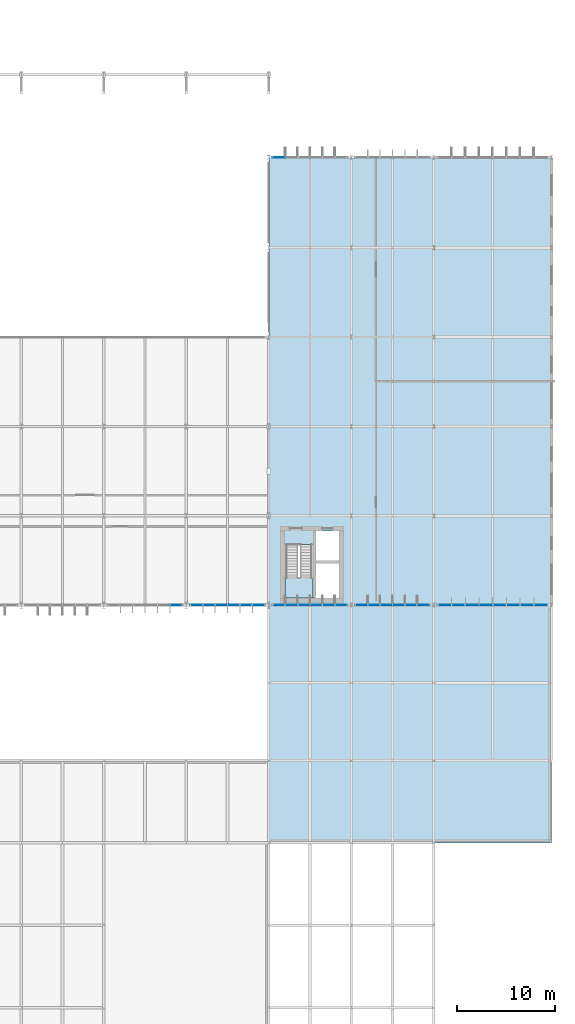
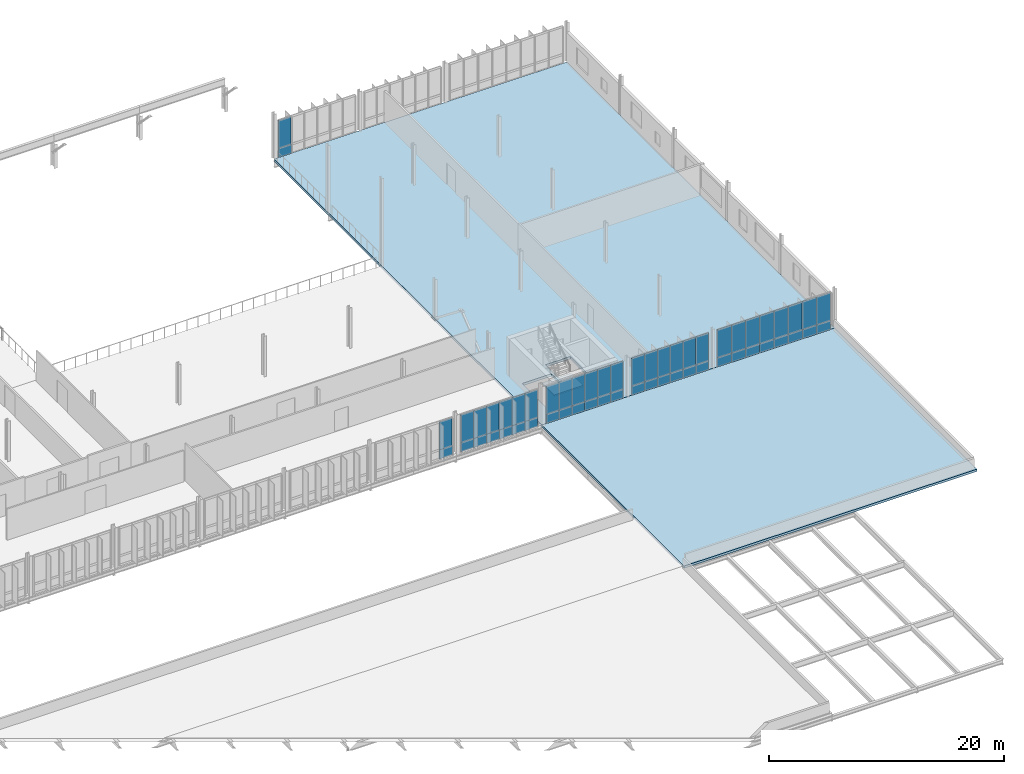
# One storey, part 80 of 107: 56 plates, 3 slabs, 8 elements without a shape of their own.
"""IFC4 building model written with IfcOpenShell, lengths in metres."""

from ifc_helpers import new_model, si_unit, derived_unit, direction, frame, origin, origin_2d, place, context, subcontext, project, spatial, polyline, rectangle, outline, extrude, material, layer, layer_set, type_object, element, aggregate, save


model = new_model("IFC4")

# Units and contexts
model_context = context("Model", 3, precision=1e-05, world=origin(), true_north=direction((0.0, 1.0)))
body_context = subcontext(model_context, "Body", "Model", "MODEL_VIEW")
ifc_project = project(units=[si_unit("LENGTHUNIT", "METRE"), si_unit("AREAUNIT", "SQUARE_METRE"), si_unit("VOLUMEUNIT", "CUBIC_METRE"), si_unit("PLANEANGLEUNIT", "RADIAN"), si_unit("MASSUNIT", "GRAM", prefix="KILO"), derived_unit("THERMALTRANSMITTANCEUNIT", [(si_unit("MASSUNIT", "GRAM", prefix="KILO"), 1), (si_unit("TIMEUNIT", "SECOND"), -3), (si_unit("THERMODYNAMICTEMPERATUREUNIT", "KELVIN"), -1)])], contexts=[model_context])

# Site, building, storey
site_placement = place(None, origin())
site = spatial("IfcSite", under=ifc_project, at=site_placement, CompositionType="ELEMENT")
building_placement = place(site_placement, origin())
building = spatial("IfcBuilding", under=site, at=building_placement, Name="Makaiwela Harbour Ferry Terminal", CompositionType="ELEMENT")
storey_placement = place(building_placement, frame((0.0, 0.0, 9.60009765625)))
storey = spatial("IfcBuildingStorey", under=building, at=storey_placement, Name="L02", CompositionType="ELEMENT", Elevation=9.60009765625)

# Curtain wall, plate
ifc_material_1 = material(Name="Marine anodised aluminium 6063-T6", Category="aluminium")
ifc_layer_1 = layer(ifc_material_1, 0.199951171875)
ifc_layer_set_1 = layer_set([ifc_layer_1], Name="Marine anodised aluminium 6063-T6")
curtain_wall_type_1 = type_object("IfcCurtainWallType", Name="ENV-CW-09", PredefinedType="USERDEFINED", material=ifc_layer_set_1)
curtain_wall_1_placement = place(storey_placement, origin())
curtain_wall_1 = element("IfcCurtainWall", 1, at=curtain_wall_1_placement, inside=storey, type_object=curtain_wall_type_1, Name="Unitised Curtain Wall CWA-093", ObjectType="UNITIZED CURTAIN WALL", PredefinedType="USERDEFINED")
ifc_material_2 = material(Name="Laminated hurricane-impact low-E insulated glazing", Category="glass")
ifc_layer_2 = layer(ifc_material_2, 0.031982421875)
ifc_layer_set_2 = layer_set([ifc_layer_2], Name="Laminated hurricane-impact low-E insulated glazing")
plate_type_1 = type_object("IfcPlateType", Name="CW-PNL-G13", PredefinedType="CURTAIN_PANEL", material=ifc_layer_set_2)
plate_1_placement = place(storey_placement, frame((129.14990234375, 49.39990234375, 0.949951171875), z_axis=(0.0, 0.0, 1.0), x_axis=(-1.0, 0.0, 0.0)))
plate_1 = element("IfcPlate", 2, at=plate_1_placement, type_object=plate_type_1, Name="Glazed Vision Panel CWA-093-1G", PredefinedType="CURTAIN_PANEL", context=body_context, shape_type="SweptSolid", body=[
    extrude(rectangle(XDim=1.260009765625, YDim=0.031982421875, at=origin_2d()), origin(), (0.0, 0.0, 1.0), 2.89990234375),
])

# Curtain wall, plates
curtain_wall_2_placement = place(storey_placement, origin())
curtain_wall_2 = element("IfcCurtainWall", 3, at=curtain_wall_2_placement, inside=storey, type_object=curtain_wall_type_1, Name="Unitised Curtain Wall CWA-096", ObjectType="UNITIZED CURTAIN WALL", PredefinedType="USERDEFINED")
plate_2_placement = place(storey_placement, frame((137.550048828125, 49.39990234375, 0.949951171875), z_axis=(0.0, 0.0, 1.0), x_axis=(-1.0, 0.0, 0.0)))
plate_2 = element("IfcPlate", 4, at=plate_2_placement, type_object=plate_type_1, Name="Glazed Vision Panel CWA-096-1G", PredefinedType="CURTAIN_PANEL", context=body_context, shape_type="SweptSolid", body=[
    extrude(rectangle(XDim=1.260009765625, YDim=0.031982421875, at=origin_2d()), origin(), (0.0, 0.0, 1.0), 2.89990234375),
])
plate_3_placement = place(storey_placement, frame((136.2900390625, 49.39990234375, 0.949951171875), z_axis=(0.0, 0.0, 1.0), x_axis=(-1.0, 0.0, 0.0)))
plate_3 = element("IfcPlate", 5, at=plate_3_placement, type_object=plate_type_1, Name="Glazed Vision Panel CWA-096-2G", PredefinedType="CURTAIN_PANEL", context=body_context, shape_type="SweptSolid", body=[
    extrude(rectangle(XDim=1.260009765625, YDim=0.031982421875, at=origin_2d()), origin(), (0.0, 0.0, 1.0), 2.89990234375),
])
plate_4_placement = place(storey_placement, frame((135.030029296875, 49.39990234375, 0.949951171875), z_axis=(0.0, 0.0, 1.0), x_axis=(-1.0, 0.0, 0.0)))
plate_4 = element("IfcPlate", 6, at=plate_4_placement, type_object=plate_type_1, Name="Glazed Vision Panel CWA-096-3G", PredefinedType="CURTAIN_PANEL", context=body_context, shape_type="SweptSolid", body=[
    extrude(rectangle(XDim=1.260009765625, YDim=0.031982421875, at=origin_2d()), origin(), (0.0, 0.0, 1.0), 2.89990234375),
])
plate_5_placement = place(storey_placement, frame((133.77001953125, 49.39990234375, 0.949951171875), z_axis=(0.0, 0.0, 1.0), x_axis=(-1.0, 0.0, 0.0)))
plate_5 = element("IfcPlate", 7, at=plate_5_placement, type_object=plate_type_1, Name="Glazed Vision Panel CWA-096-4G", PredefinedType="CURTAIN_PANEL", context=body_context, shape_type="SweptSolid", body=[
    extrude(rectangle(XDim=1.260009765625, YDim=0.031982421875, at=origin_2d()), origin(), (0.0, 0.0, 1.0), 2.89990234375),
])
plate_6_placement = place(storey_placement, frame((132.510009765625, 49.39990234375, 0.949951171875), z_axis=(0.0, 0.0, 1.0), x_axis=(-1.0, 0.0, 0.0)))
plate_6 = element("IfcPlate", 8, at=plate_6_placement, type_object=plate_type_1, Name="Glazed Vision Panel CWA-096-5G", PredefinedType="CURTAIN_PANEL", context=body_context, shape_type="SweptSolid", body=[
    extrude(rectangle(XDim=1.260009765625, YDim=0.031982421875, at=origin_2d()), origin(), (0.0, 0.0, 1.0), 2.89990234375),
])
plate_7_placement = place(storey_placement, frame((131.25, 49.39990234375, 0.949951171875), z_axis=(0.0, 0.0, 1.0), x_axis=(-1.0, 0.0, 0.0)))
plate_7 = element("IfcPlate", 9, at=plate_7_placement, type_object=plate_type_1, Name="Glazed Vision Panel CWA-096-6G", PredefinedType="CURTAIN_PANEL", context=body_context, shape_type="SweptSolid", body=[
    extrude(rectangle(XDim=1.260009765625, YDim=0.031982421875, at=origin_2d()), origin(), (0.0, 0.0, 1.0), 2.89990234375),
])

# Curtain wall, plate
curtain_wall_3_placement = place(storey_placement, origin())
curtain_wall_3 = element("IfcCurtainWall", 10, at=curtain_wall_3_placement, inside=storey, type_object=curtain_wall_type_1, Name="Unitised Curtain Wall CWA-122", ObjectType="UNITIZED CURTAIN WALL", PredefinedType="USERDEFINED")
plate_8_placement = place(storey_placement, frame((139.64990234375, 95.0, 0.949951171875), z_axis=(0.0, 0.0, 1.0), x_axis=(1.0, 0.0, 0.0)))
plate_8 = element("IfcPlate", 11, at=plate_8_placement, type_object=plate_type_1, Name="Glazed Vision Panel CWA-122-1G", PredefinedType="CURTAIN_PANEL", context=body_context, shape_type="SweptSolid", body=[
    extrude(rectangle(XDim=1.260009765625, YDim=0.031982421875, at=origin_2d()), origin(), (0.0, 0.0, 1.0), 2.89990234375),
])

# Curtain wall, plates
curtain_wall_4_placement = place(storey_placement, origin())
curtain_wall_4 = element("IfcCurtainWall", 12, at=curtain_wall_4_placement, inside=storey, type_object=curtain_wall_type_1, Name="Unitised Curtain Wall CWA-152", ObjectType="UNITIZED CURTAIN WALL", PredefinedType="USERDEFINED")
plate_9_placement = place(storey_placement, frame((145.949951171875, 49.39990234375, 0.949951171875), z_axis=(0.0, 0.0, 1.0), x_axis=(-1.0, 0.0, 0.0)))
plate_9 = element("IfcPlate", 13, at=plate_9_placement, type_object=plate_type_1, Name="Glazed Vision Panel CWA-152-1G", PredefinedType="CURTAIN_PANEL", context=body_context, shape_type="SweptSolid", body=[
    extrude(rectangle(XDim=1.260009765625, YDim=0.031982421875, at=origin_2d()), origin(), (0.0, 0.0, 1.0), 2.89990234375),
])
plate_10_placement = place(storey_placement, frame((144.68994140625, 49.39990234375, 0.949951171875), z_axis=(0.0, 0.0, 1.0), x_axis=(-1.0, 0.0, 0.0)))
plate_10 = element("IfcPlate", 14, at=plate_10_placement, type_object=plate_type_1, Name="Glazed Vision Panel CWA-152-2G", PredefinedType="CURTAIN_PANEL", context=body_context, shape_type="SweptSolid", body=[
    extrude(rectangle(XDim=1.260009765625, YDim=0.031982421875, at=origin_2d()), origin(), (0.0, 0.0, 1.0), 2.89990234375),
])
plate_11_placement = place(storey_placement, frame((143.429931640625, 49.39990234375, 0.949951171875), z_axis=(0.0, 0.0, 1.0), x_axis=(-1.0, 0.0, 0.0)))
plate_11 = element("IfcPlate", 15, at=plate_11_placement, type_object=plate_type_1, Name="Glazed Vision Panel CWA-152-3G", PredefinedType="CURTAIN_PANEL", context=body_context, shape_type="SweptSolid", body=[
    extrude(rectangle(XDim=1.260009765625, YDim=0.031982421875, at=origin_2d()), origin(), (0.0, 0.0, 1.0), 2.89990234375),
])
plate_12_placement = place(storey_placement, frame((142.169921875, 49.39990234375, 0.949951171875), z_axis=(0.0, 0.0, 1.0), x_axis=(-1.0, 0.0, 0.0)))
plate_12 = element("IfcPlate", 16, at=plate_12_placement, type_object=plate_type_1, Name="Glazed Vision Panel CWA-152-4G", PredefinedType="CURTAIN_PANEL", context=body_context, shape_type="SweptSolid", body=[
    extrude(rectangle(XDim=1.260009765625, YDim=0.031982421875, at=origin_2d()), origin(), (0.0, 0.0, 1.0), 2.89990234375),
])
plate_13_placement = place(storey_placement, frame((140.909912109375, 49.39990234375, 0.949951171875), z_axis=(0.0, 0.0, 1.0), x_axis=(-1.0, 0.0, 0.0)))
plate_13 = element("IfcPlate", 17, at=plate_13_placement, type_object=plate_type_1, Name="Glazed Vision Panel CWA-152-5G", PredefinedType="CURTAIN_PANEL", context=body_context, shape_type="SweptSolid", body=[
    extrude(rectangle(XDim=1.260009765625, YDim=0.031982421875, at=origin_2d()), origin(), (0.0, 0.0, 1.0), 2.89990234375),
])
plate_14_placement = place(storey_placement, frame((139.64990234375, 49.39990234375, 0.949951171875), z_axis=(0.0, 0.0, 1.0), x_axis=(-1.0, 0.0, 0.0)))
plate_14 = element("IfcPlate", 18, at=plate_14_placement, type_object=plate_type_1, Name="Glazed Vision Panel CWA-152-6G", PredefinedType="CURTAIN_PANEL", context=body_context, shape_type="SweptSolid", body=[
    extrude(rectangle(XDim=1.260009765625, YDim=0.031982421875, at=origin_2d()), origin(), (0.0, 0.0, 1.0), 2.89990234375),
])

curtain_wall_5_placement = place(storey_placement, origin())
curtain_wall_5 = element("IfcCurtainWall", 19, at=curtain_wall_5_placement, inside=storey, type_object=curtain_wall_type_1, Name="Unitised Curtain Wall CWA-154", ObjectType="UNITIZED CURTAIN WALL", PredefinedType="USERDEFINED")
plate_15_placement = place(storey_placement, frame((154.35009765625, 49.39990234375, 0.949951171875), z_axis=(0.0, 0.0, 1.0), x_axis=(-1.0, 0.0, 0.0)))
plate_15 = element("IfcPlate", 20, at=plate_15_placement, type_object=plate_type_1, Name="Glazed Vision Panel CWA-154-1G", PredefinedType="CURTAIN_PANEL", context=body_context, shape_type="SweptSolid", body=[
    extrude(rectangle(XDim=1.260009765625, YDim=0.031982421875, at=origin_2d()), origin(), (0.0, 0.0, 1.0), 2.89990234375),
])
plate_16_placement = place(storey_placement, frame((153.090087890625, 49.39990234375, 0.949951171875), z_axis=(0.0, 0.0, 1.0), x_axis=(-1.0, 0.0, 0.0)))
plate_16 = element("IfcPlate", 21, at=plate_16_placement, type_object=plate_type_1, Name="Glazed Vision Panel CWA-154-2G", PredefinedType="CURTAIN_PANEL", context=body_context, shape_type="SweptSolid", body=[
    extrude(rectangle(XDim=1.260009765625, YDim=0.031982421875, at=origin_2d()), origin(), (0.0, 0.0, 1.0), 2.89990234375),
])
plate_17_placement = place(storey_placement, frame((151.830078125, 49.39990234375, 0.949951171875), z_axis=(0.0, 0.0, 1.0), x_axis=(-1.0, 0.0, 0.0)))
plate_17 = element("IfcPlate", 22, at=plate_17_placement, type_object=plate_type_1, Name="Glazed Vision Panel CWA-154-3G", PredefinedType="CURTAIN_PANEL", context=body_context, shape_type="SweptSolid", body=[
    extrude(rectangle(XDim=1.260009765625, YDim=0.031982421875, at=origin_2d()), origin(), (0.0, 0.0, 1.0), 2.89990234375),
])
plate_18_placement = place(storey_placement, frame((150.570068359375, 49.39990234375, 0.949951171875), z_axis=(0.0, 0.0, 1.0), x_axis=(-1.0, 0.0, 0.0)))
plate_18 = element("IfcPlate", 23, at=plate_18_placement, type_object=plate_type_1, Name="Glazed Vision Panel CWA-154-4G", PredefinedType="CURTAIN_PANEL", context=body_context, shape_type="SweptSolid", body=[
    extrude(rectangle(XDim=1.260009765625, YDim=0.031982421875, at=origin_2d()), origin(), (0.0, 0.0, 1.0), 2.89990234375),
])
plate_19_placement = place(storey_placement, frame((149.31005859375, 49.39990234375, 0.949951171875), z_axis=(0.0, 0.0, 1.0), x_axis=(-1.0, 0.0, 0.0)))
plate_19 = element("IfcPlate", 24, at=plate_19_placement, type_object=plate_type_1, Name="Glazed Vision Panel CWA-154-5G", PredefinedType="CURTAIN_PANEL", context=body_context, shape_type="SweptSolid", body=[
    extrude(rectangle(XDim=1.260009765625, YDim=0.031982421875, at=origin_2d()), origin(), (0.0, 0.0, 1.0), 2.89990234375),
])
plate_20_placement = place(storey_placement, frame((148.050048828125, 49.39990234375, 0.949951171875), z_axis=(0.0, 0.0, 1.0), x_axis=(-1.0, 0.0, 0.0)))
plate_20 = element("IfcPlate", 25, at=plate_20_placement, type_object=plate_type_1, Name="Glazed Vision Panel CWA-154-6G", PredefinedType="CURTAIN_PANEL", context=body_context, shape_type="SweptSolid", body=[
    extrude(rectangle(XDim=1.260009765625, YDim=0.031982421875, at=origin_2d()), origin(), (0.0, 0.0, 1.0), 2.89990234375),
])

ifc_layer_3 = layer(ifc_material_1, 0.199951171875)
ifc_layer_set_3 = layer_set([ifc_layer_3], Name="Marine anodised aluminium 6063-T6")
curtain_wall_type_2 = type_object("IfcCurtainWallType", Name="ENV-CW-18", PredefinedType="USERDEFINED", material=ifc_layer_set_3)
curtain_wall_6_placement = place(storey_placement, origin())
curtain_wall_6 = element("IfcCurtainWall", 26, at=curtain_wall_6_placement, inside=storey, type_object=curtain_wall_type_2, Name="Unitised Curtain Wall CWA-156", ObjectType="UNITIZED CURTAIN WALL", PredefinedType="USERDEFINED")
ifc_layer_4 = layer(ifc_material_2, 0.031982421875)
ifc_layer_set_4 = layer_set([ifc_layer_4], Name="Laminated hurricane-impact low-E insulated glazing")
plate_type_2 = type_object("IfcPlateType", Name="CW-PNL-G24", PredefinedType="CURTAIN_PANEL", material=ifc_layer_set_4)
plate_21_placement = place(storey_placement, frame((166.282470703125, 49.39990234375, 0.949951171875), z_axis=(0.0, 0.0, 1.0), x_axis=(-1.0, 0.0, 0.0)))
plate_21 = element("IfcPlate", 27, at=plate_21_placement, type_object=plate_type_2, Name="Glazed Vision Panel CWA-156-1G", PredefinedType="CURTAIN_PANEL", context=body_context, shape_type="SweptSolid", body=[
    extrude(rectangle(XDim=1.39501953125, YDim=0.031982421875, at=origin_2d()), origin(), (0.0, 0.0, 1.0), 2.89990234375),
])
plate_22_placement = place(storey_placement, frame((164.887451171875, 49.39990234375, 0.949951171875), z_axis=(0.0, 0.0, 1.0), x_axis=(-1.0, 0.0, 0.0)))
plate_22 = element("IfcPlate", 28, at=plate_22_placement, type_object=plate_type_2, Name="Glazed Vision Panel CWA-156-2G", PredefinedType="CURTAIN_PANEL", context=body_context, shape_type="SweptSolid", body=[
    extrude(rectangle(XDim=1.39501953125, YDim=0.031982421875, at=origin_2d()), origin(), (0.0, 0.0, 1.0), 2.89990234375),
])
plate_23_placement = place(storey_placement, frame((163.492431640625, 49.39990234375, 0.949951171875), z_axis=(0.0, 0.0, 1.0), x_axis=(-1.0, 0.0, 0.0)))
plate_23 = element("IfcPlate", 29, at=plate_23_placement, type_object=plate_type_2, Name="Glazed Vision Panel CWA-156-3G", PredefinedType="CURTAIN_PANEL", context=body_context, shape_type="SweptSolid", body=[
    extrude(rectangle(XDim=1.39501953125, YDim=0.031982421875, at=origin_2d()), origin(), (0.0, 0.0, 1.0), 2.89990234375),
])
plate_24_placement = place(storey_placement, frame((162.097412109375, 49.39990234375, 0.949951171875), z_axis=(0.0, 0.0, 1.0), x_axis=(-1.0, 0.0, 0.0)))
plate_24 = element("IfcPlate", 30, at=plate_24_placement, type_object=plate_type_2, Name="Glazed Vision Panel CWA-156-4G", PredefinedType="CURTAIN_PANEL", context=body_context, shape_type="SweptSolid", body=[
    extrude(rectangle(XDim=1.39501953125, YDim=0.031982421875, at=origin_2d()), origin(), (0.0, 0.0, 1.0), 2.89990234375),
])
plate_25_placement = place(storey_placement, frame((160.702392578125, 49.39990234375, 0.949951171875), z_axis=(0.0, 0.0, 1.0), x_axis=(-1.0, 0.0, 0.0)))
plate_25 = element("IfcPlate", 31, at=plate_25_placement, type_object=plate_type_2, Name="Glazed Vision Panel CWA-156-5G", PredefinedType="CURTAIN_PANEL", context=body_context, shape_type="SweptSolid", body=[
    extrude(rectangle(XDim=1.39501953125, YDim=0.031982421875, at=origin_2d()), origin(), (0.0, 0.0, 1.0), 2.89990234375),
])
plate_26_placement = place(storey_placement, frame((159.3076171875, 49.39990234375, 0.949951171875), z_axis=(0.0, 0.0, 1.0), x_axis=(-1.0, 0.0, 0.0)))
plate_26 = element("IfcPlate", 32, at=plate_26_placement, type_object=plate_type_2, Name="Glazed Vision Panel CWA-156-6G", PredefinedType="CURTAIN_PANEL", context=body_context, shape_type="SweptSolid", body=[
    extrude(rectangle(XDim=1.39501953125, YDim=0.031982421875, at=origin_2d()), origin(), (0.0, 0.0, 1.0), 2.89990234375),
])
plate_27_placement = place(storey_placement, frame((157.91259765625, 49.39990234375, 0.949951171875), z_axis=(0.0, 0.0, 1.0), x_axis=(-1.0, 0.0, 0.0)))
plate_27 = element("IfcPlate", 33, at=plate_27_placement, type_object=plate_type_2, Name="Glazed Vision Panel CWA-156-7G", PredefinedType="CURTAIN_PANEL", context=body_context, shape_type="SweptSolid", body=[
    extrude(rectangle(XDim=1.39501953125, YDim=0.031982421875, at=origin_2d()), origin(), (0.0, 0.0, 1.0), 2.89990234375),
])
plate_28_placement = place(storey_placement, frame((156.517578125, 49.39990234375, 0.949951171875), z_axis=(0.0, 0.0, 1.0), x_axis=(-1.0, 0.0, 0.0)))
plate_28 = element("IfcPlate", 34, at=plate_28_placement, type_object=plate_type_2, Name="Glazed Vision Panel CWA-156-8G", PredefinedType="CURTAIN_PANEL", context=body_context, shape_type="SweptSolid", body=[
    extrude(rectangle(XDim=1.39501953125, YDim=0.031982421875, at=origin_2d()), origin(), (0.0, 0.0, 1.0), 2.89990234375),
])

# Plate
ifc_material_3 = material(Name="Insulated marine aluminium spandrel panel", Category="aluminium")
ifc_layer_5 = layer(ifc_material_3, 0.048095703125)
ifc_layer_set_5 = layer_set([ifc_layer_5], Name="Insulated marine aluminium spandrel panel")
plate_type_3 = type_object("IfcPlateType", Name="CW-PNL-S11", PredefinedType="CURTAIN_PANEL", material=ifc_layer_set_5)
plate_29_placement = place(storey_placement, frame((129.14990234375, 49.39990234375, 0.0), z_axis=(0.0, 0.0, 1.0), x_axis=(-1.0, 0.0, 0.0)))
plate_29 = element("IfcPlate", 35, at=plate_29_placement, type_object=plate_type_3, Name="Spandrel Panel CWA-093-1S", PredefinedType="CURTAIN_PANEL", context=body_context, shape_type="SweptSolid", body=[
    extrude(rectangle(XDim=1.260009765625, YDim=0.048095703125, at=origin_2d()), origin(), (0.0, 0.0, 1.0), 0.949951171875),
])

aggregate(curtain_wall_1, [plate_29, plate_1])

plate_30_placement = place(storey_placement, frame((137.550048828125, 49.39990234375, 0.0), z_axis=(0.0, 0.0, 1.0), x_axis=(-1.0, 0.0, 0.0)))
plate_30 = element("IfcPlate", 36, at=plate_30_placement, type_object=plate_type_3, Name="Spandrel Panel CWA-096-1S", PredefinedType="CURTAIN_PANEL", context=body_context, shape_type="SweptSolid", body=[
    extrude(rectangle(XDim=1.260009765625, YDim=0.048095703125, at=origin_2d()), origin(), (0.0, 0.0, 1.0), 0.949951171875),
])

plate_31_placement = place(storey_placement, frame((136.2900390625, 49.39990234375, 0.0), z_axis=(0.0, 0.0, 1.0), x_axis=(-1.0, 0.0, 0.0)))
plate_31 = element("IfcPlate", 37, at=plate_31_placement, type_object=plate_type_3, Name="Spandrel Panel CWA-096-2S", PredefinedType="CURTAIN_PANEL", context=body_context, shape_type="SweptSolid", body=[
    extrude(rectangle(XDim=1.260009765625, YDim=0.048095703125, at=origin_2d()), origin(), (0.0, 0.0, 1.0), 0.949951171875),
])

plate_32_placement = place(storey_placement, frame((135.030029296875, 49.39990234375, 0.0), z_axis=(0.0, 0.0, 1.0), x_axis=(-1.0, 0.0, 0.0)))
plate_32 = element("IfcPlate", 38, at=plate_32_placement, type_object=plate_type_3, Name="Spandrel Panel CWA-096-3S", PredefinedType="CURTAIN_PANEL", context=body_context, shape_type="SweptSolid", body=[
    extrude(rectangle(XDim=1.260009765625, YDim=0.048095703125, at=origin_2d()), origin(), (0.0, 0.0, 1.0), 0.949951171875),
])

plate_33_placement = place(storey_placement, frame((133.77001953125, 49.39990234375, 0.0), z_axis=(0.0, 0.0, 1.0), x_axis=(-1.0, 0.0, 0.0)))
plate_33 = element("IfcPlate", 39, at=plate_33_placement, type_object=plate_type_3, Name="Spandrel Panel CWA-096-4S", PredefinedType="CURTAIN_PANEL", context=body_context, shape_type="SweptSolid", body=[
    extrude(rectangle(XDim=1.260009765625, YDim=0.048095703125, at=origin_2d()), origin(), (0.0, 0.0, 1.0), 0.949951171875),
])

plate_34_placement = place(storey_placement, frame((132.510009765625, 49.39990234375, 0.0), z_axis=(0.0, 0.0, 1.0), x_axis=(-1.0, 0.0, 0.0)))
plate_34 = element("IfcPlate", 40, at=plate_34_placement, type_object=plate_type_3, Name="Spandrel Panel CWA-096-5S", PredefinedType="CURTAIN_PANEL", context=body_context, shape_type="SweptSolid", body=[
    extrude(rectangle(XDim=1.260009765625, YDim=0.048095703125, at=origin_2d()), origin(), (0.0, 0.0, 1.0), 0.949951171875),
])

plate_35_placement = place(storey_placement, frame((131.25, 49.39990234375, 0.0), z_axis=(0.0, 0.0, 1.0), x_axis=(-1.0, 0.0, 0.0)))
plate_35 = element("IfcPlate", 41, at=plate_35_placement, type_object=plate_type_3, Name="Spandrel Panel CWA-096-6S", PredefinedType="CURTAIN_PANEL", context=body_context, shape_type="SweptSolid", body=[
    extrude(rectangle(XDim=1.260009765625, YDim=0.048095703125, at=origin_2d()), origin(), (0.0, 0.0, 1.0), 0.949951171875),
])

aggregate(curtain_wall_2, [plate_30, plate_2, plate_31, plate_3, plate_32, plate_4, plate_33, plate_5, plate_34, plate_6, plate_35, plate_7])

plate_36_placement = place(storey_placement, frame((139.64990234375, 95.0, 0.0), z_axis=(0.0, 0.0, 1.0), x_axis=(1.0, 0.0, 0.0)))
plate_36 = element("IfcPlate", 42, at=plate_36_placement, type_object=plate_type_3, Name="Spandrel Panel CWA-122-1S", PredefinedType="CURTAIN_PANEL", context=body_context, shape_type="SweptSolid", body=[
    extrude(rectangle(XDim=1.260009765625, YDim=0.048095703125, at=origin_2d()), origin(), (0.0, 0.0, 1.0), 0.949951171875),
])

aggregate(curtain_wall_3, [plate_36, plate_8])

plate_37_placement = place(storey_placement, frame((145.949951171875, 49.39990234375, 0.0), z_axis=(0.0, 0.0, 1.0), x_axis=(-1.0, 0.0, 0.0)))
plate_37 = element("IfcPlate", 43, at=plate_37_placement, type_object=plate_type_3, Name="Spandrel Panel CWA-152-1S", PredefinedType="CURTAIN_PANEL", context=body_context, shape_type="SweptSolid", body=[
    extrude(rectangle(XDim=1.260009765625, YDim=0.048095703125, at=origin_2d()), origin(), (0.0, 0.0, 1.0), 0.949951171875),
])

plate_38_placement = place(storey_placement, frame((144.68994140625, 49.39990234375, 0.0), z_axis=(0.0, 0.0, 1.0), x_axis=(-1.0, 0.0, 0.0)))
plate_38 = element("IfcPlate", 44, at=plate_38_placement, type_object=plate_type_3, Name="Spandrel Panel CWA-152-2S", PredefinedType="CURTAIN_PANEL", context=body_context, shape_type="SweptSolid", body=[
    extrude(rectangle(XDim=1.260009765625, YDim=0.048095703125, at=origin_2d()), origin(), (0.0, 0.0, 1.0), 0.949951171875),
])

plate_39_placement = place(storey_placement, frame((143.429931640625, 49.39990234375, 0.0), z_axis=(0.0, 0.0, 1.0), x_axis=(-1.0, 0.0, 0.0)))
plate_39 = element("IfcPlate", 45, at=plate_39_placement, type_object=plate_type_3, Name="Spandrel Panel CWA-152-3S", PredefinedType="CURTAIN_PANEL", context=body_context, shape_type="SweptSolid", body=[
    extrude(rectangle(XDim=1.260009765625, YDim=0.048095703125, at=origin_2d()), origin(), (0.0, 0.0, 1.0), 0.949951171875),
])

plate_40_placement = place(storey_placement, frame((142.169921875, 49.39990234375, 0.0), z_axis=(0.0, 0.0, 1.0), x_axis=(-1.0, 0.0, 0.0)))
plate_40 = element("IfcPlate", 46, at=plate_40_placement, type_object=plate_type_3, Name="Spandrel Panel CWA-152-4S", PredefinedType="CURTAIN_PANEL", context=body_context, shape_type="SweptSolid", body=[
    extrude(rectangle(XDim=1.260009765625, YDim=0.048095703125, at=origin_2d()), origin(), (0.0, 0.0, 1.0), 0.949951171875),
])

plate_41_placement = place(storey_placement, frame((140.909912109375, 49.39990234375, 0.0), z_axis=(0.0, 0.0, 1.0), x_axis=(-1.0, 0.0, 0.0)))
plate_41 = element("IfcPlate", 47, at=plate_41_placement, type_object=plate_type_3, Name="Spandrel Panel CWA-152-5S", PredefinedType="CURTAIN_PANEL", context=body_context, shape_type="SweptSolid", body=[
    extrude(rectangle(XDim=1.260009765625, YDim=0.048095703125, at=origin_2d()), origin(), (0.0, 0.0, 1.0), 0.949951171875),
])

plate_42_placement = place(storey_placement, frame((139.64990234375, 49.39990234375, 0.0), z_axis=(0.0, 0.0, 1.0), x_axis=(-1.0, 0.0, 0.0)))
plate_42 = element("IfcPlate", 48, at=plate_42_placement, type_object=plate_type_3, Name="Spandrel Panel CWA-152-6S", PredefinedType="CURTAIN_PANEL", context=body_context, shape_type="SweptSolid", body=[
    extrude(rectangle(XDim=1.260009765625, YDim=0.048095703125, at=origin_2d()), origin(), (0.0, 0.0, 1.0), 0.949951171875),
])

aggregate(curtain_wall_4, [plate_37, plate_9, plate_38, plate_10, plate_39, plate_11, plate_40, plate_12, plate_41, plate_13, plate_42, plate_14])

plate_43_placement = place(storey_placement, frame((154.35009765625, 49.39990234375, 0.0), z_axis=(0.0, 0.0, 1.0), x_axis=(-1.0, 0.0, 0.0)))
plate_43 = element("IfcPlate", 49, at=plate_43_placement, type_object=plate_type_3, Name="Spandrel Panel CWA-154-1S", PredefinedType="CURTAIN_PANEL", context=body_context, shape_type="SweptSolid", body=[
    extrude(rectangle(XDim=1.260009765625, YDim=0.048095703125, at=origin_2d()), origin(), (0.0, 0.0, 1.0), 0.949951171875),
])

plate_44_placement = place(storey_placement, frame((153.090087890625, 49.39990234375, 0.0), z_axis=(0.0, 0.0, 1.0), x_axis=(-1.0, 0.0, 0.0)))
plate_44 = element("IfcPlate", 50, at=plate_44_placement, type_object=plate_type_3, Name="Spandrel Panel CWA-154-2S", PredefinedType="CURTAIN_PANEL", context=body_context, shape_type="SweptSolid", body=[
    extrude(rectangle(XDim=1.260009765625, YDim=0.048095703125, at=origin_2d()), origin(), (0.0, 0.0, 1.0), 0.949951171875),
])

plate_45_placement = place(storey_placement, frame((151.830078125, 49.39990234375, 0.0), z_axis=(0.0, 0.0, 1.0), x_axis=(-1.0, 0.0, 0.0)))
plate_45 = element("IfcPlate", 51, at=plate_45_placement, type_object=plate_type_3, Name="Spandrel Panel CWA-154-3S", PredefinedType="CURTAIN_PANEL", context=body_context, shape_type="SweptSolid", body=[
    extrude(rectangle(XDim=1.260009765625, YDim=0.048095703125, at=origin_2d()), origin(), (0.0, 0.0, 1.0), 0.949951171875),
])

plate_46_placement = place(storey_placement, frame((150.570068359375, 49.39990234375, 0.0), z_axis=(0.0, 0.0, 1.0), x_axis=(-1.0, 0.0, 0.0)))
plate_46 = element("IfcPlate", 52, at=plate_46_placement, type_object=plate_type_3, Name="Spandrel Panel CWA-154-4S", PredefinedType="CURTAIN_PANEL", context=body_context, shape_type="SweptSolid", body=[
    extrude(rectangle(XDim=1.260009765625, YDim=0.048095703125, at=origin_2d()), origin(), (0.0, 0.0, 1.0), 0.949951171875),
])

plate_47_placement = place(storey_placement, frame((149.31005859375, 49.39990234375, 0.0), z_axis=(0.0, 0.0, 1.0), x_axis=(-1.0, 0.0, 0.0)))
plate_47 = element("IfcPlate", 53, at=plate_47_placement, type_object=plate_type_3, Name="Spandrel Panel CWA-154-5S", PredefinedType="CURTAIN_PANEL", context=body_context, shape_type="SweptSolid", body=[
    extrude(rectangle(XDim=1.260009765625, YDim=0.048095703125, at=origin_2d()), origin(), (0.0, 0.0, 1.0), 0.949951171875),
])

plate_48_placement = place(storey_placement, frame((148.050048828125, 49.39990234375, 0.0), z_axis=(0.0, 0.0, 1.0), x_axis=(-1.0, 0.0, 0.0)))
plate_48 = element("IfcPlate", 54, at=plate_48_placement, type_object=plate_type_3, Name="Spandrel Panel CWA-154-6S", PredefinedType="CURTAIN_PANEL", context=body_context, shape_type="SweptSolid", body=[
    extrude(rectangle(XDim=1.260009765625, YDim=0.048095703125, at=origin_2d()), origin(), (0.0, 0.0, 1.0), 0.949951171875),
])

aggregate(curtain_wall_5, [plate_43, plate_15, plate_44, plate_16, plate_45, plate_17, plate_46, plate_18, plate_47, plate_19, plate_48, plate_20])

ifc_layer_6 = layer(ifc_material_3, 0.048095703125)
ifc_layer_set_6 = layer_set([ifc_layer_6], Name="Insulated marine aluminium spandrel panel")
plate_type_4 = type_object("IfcPlateType", Name="CW-PNL-S21", PredefinedType="CURTAIN_PANEL", material=ifc_layer_set_6)
plate_49_placement = place(storey_placement, frame((166.282470703125, 49.39990234375, 0.0), z_axis=(0.0, 0.0, 1.0), x_axis=(-1.0, 0.0, 0.0)))
plate_49 = element("IfcPlate", 55, at=plate_49_placement, type_object=plate_type_4, Name="Spandrel Panel CWA-156-1S", PredefinedType="CURTAIN_PANEL", context=body_context, shape_type="SweptSolid", body=[
    extrude(rectangle(XDim=1.39501953125, YDim=0.048095703125, at=origin_2d()), origin(), (0.0, 0.0, 1.0), 0.949951171875),
])

plate_50_placement = place(storey_placement, frame((164.887451171875, 49.39990234375, 0.0), z_axis=(0.0, 0.0, 1.0), x_axis=(-1.0, 0.0, 0.0)))
plate_50 = element("IfcPlate", 56, at=plate_50_placement, type_object=plate_type_4, Name="Spandrel Panel CWA-156-2S", PredefinedType="CURTAIN_PANEL", context=body_context, shape_type="SweptSolid", body=[
    extrude(rectangle(XDim=1.39501953125, YDim=0.048095703125, at=origin_2d()), origin(), (0.0, 0.0, 1.0), 0.949951171875),
])

plate_51_placement = place(storey_placement, frame((163.492431640625, 49.39990234375, 0.0), z_axis=(0.0, 0.0, 1.0), x_axis=(-1.0, 0.0, 0.0)))
plate_51 = element("IfcPlate", 57, at=plate_51_placement, type_object=plate_type_4, Name="Spandrel Panel CWA-156-3S", PredefinedType="CURTAIN_PANEL", context=body_context, shape_type="SweptSolid", body=[
    extrude(rectangle(XDim=1.39501953125, YDim=0.048095703125, at=origin_2d()), origin(), (0.0, 0.0, 1.0), 0.949951171875),
])

plate_52_placement = place(storey_placement, frame((162.097412109375, 49.39990234375, 0.0), z_axis=(0.0, 0.0, 1.0), x_axis=(-1.0, 0.0, 0.0)))
plate_52 = element("IfcPlate", 58, at=plate_52_placement, type_object=plate_type_4, Name="Spandrel Panel CWA-156-4S", PredefinedType="CURTAIN_PANEL", context=body_context, shape_type="SweptSolid", body=[
    extrude(rectangle(XDim=1.39501953125, YDim=0.048095703125, at=origin_2d()), origin(), (0.0, 0.0, 1.0), 0.949951171875),
])

plate_53_placement = place(storey_placement, frame((160.702392578125, 49.39990234375, 0.0), z_axis=(0.0, 0.0, 1.0), x_axis=(-1.0, 0.0, 0.0)))
plate_53 = element("IfcPlate", 59, at=plate_53_placement, type_object=plate_type_4, Name="Spandrel Panel CWA-156-5S", PredefinedType="CURTAIN_PANEL", context=body_context, shape_type="SweptSolid", body=[
    extrude(rectangle(XDim=1.39501953125, YDim=0.048095703125, at=origin_2d()), origin(), (0.0, 0.0, 1.0), 0.949951171875),
])

plate_54_placement = place(storey_placement, frame((159.3076171875, 49.39990234375, 0.0), z_axis=(0.0, 0.0, 1.0), x_axis=(-1.0, 0.0, 0.0)))
plate_54 = element("IfcPlate", 60, at=plate_54_placement, type_object=plate_type_4, Name="Spandrel Panel CWA-156-6S", PredefinedType="CURTAIN_PANEL", context=body_context, shape_type="SweptSolid", body=[
    extrude(rectangle(XDim=1.39501953125, YDim=0.048095703125, at=origin_2d()), origin(), (0.0, 0.0, 1.0), 0.949951171875),
])

plate_55_placement = place(storey_placement, frame((157.91259765625, 49.39990234375, 0.0), z_axis=(0.0, 0.0, 1.0), x_axis=(-1.0, 0.0, 0.0)))
plate_55 = element("IfcPlate", 61, at=plate_55_placement, type_object=plate_type_4, Name="Spandrel Panel CWA-156-7S", PredefinedType="CURTAIN_PANEL", context=body_context, shape_type="SweptSolid", body=[
    extrude(rectangle(XDim=1.39501953125, YDim=0.048095703125, at=origin_2d()), origin(), (0.0, 0.0, 1.0), 0.949951171875),
])

plate_56_placement = place(storey_placement, frame((156.517578125, 49.39990234375, 0.0), z_axis=(0.0, 0.0, 1.0), x_axis=(-1.0, 0.0, 0.0)))
plate_56 = element("IfcPlate", 62, at=plate_56_placement, type_object=plate_type_4, Name="Spandrel Panel CWA-156-8S", PredefinedType="CURTAIN_PANEL", context=body_context, shape_type="SweptSolid", body=[
    extrude(rectangle(XDim=1.39501953125, YDim=0.048095703125, at=origin_2d()), origin(), (0.0, 0.0, 1.0), 0.949951171875),
])

aggregate(curtain_wall_6, [plate_49, plate_21, plate_50, plate_22, plate_51, plate_23, plate_52, plate_24, plate_53, plate_25, plate_54, plate_26, plate_55, plate_27, plate_56, plate_28])

# Slab
ifc_material_4 = material(Name="Concrete f'c 35 MPa (5000 psi)", Category="concrete")
ifc_layer_7 = layer(ifc_material_4, 0.260009765625)
ifc_layer_set_7 = layer_set([ifc_layer_7], Name="Concrete f'c 35 MPa (5000 psi)")
slab_type_1 = type_object("IfcSlabType", Name="SLB-FLR-260", PredefinedType="FLOOR", material=ifc_layer_set_7)
slab_1_placement = place(storey_placement, frame((0.0, 0.0, -0.260009765625)))
element("IfcSlab", 63, at=slab_1_placement, inside=storey, type_object=slab_type_1, Name="Slab SLB-033", PredefinedType="FLOOR", context=body_context, shape_type="SweptSolid", body=[
    extrude(outline(polyline([(138.60205078125, 76.699951171875), (138.60205078125, 49.39990234375), (167.39990234375, 49.39990234375), (167.39990234375, 95.0), (138.60009765625, 95.0), (138.60205078125, 76.699951171875)]), holes=[polyline([(140.219970703125, 50.1201171875), (140.219970703125, 55.56005859375), (143.110107421875, 55.56005859375), (143.110107421875, 50.1201171875), (140.219970703125, 50.1201171875)]), polyline([(143.320068359375, 50.1201171875), (143.320068359375, 56.97998046875), (145.780029296875, 56.97998046875), (145.780029296875, 50.1201171875), (143.320068359375, 50.1201171875)])]), origin(), (0.0, 0.0, 1.0), 0.260009765625),
])

# Stair, slab
stair_type = type_object("IfcStairType", Name="CIR-STR-A07", PredefinedType="HALF_TURN_STAIR", material=ifc_material_4)
stair_placement = place(storey_placement, origin())
stair = element("IfcStair", 64, at=stair_placement, inside=storey, type_object=stair_type, Name="Stair ST-05-L02", PredefinedType="HALF_TURN_STAIR")
ifc_layer_8 = layer(ifc_material_4, 0.14990234375)
ifc_layer_set_8 = layer_set([ifc_layer_8], Name="Concrete f'c 35 MPa (5000 psi)")
slab_type_2 = type_object("IfcSlabType", Name="SLB-LND-150", PredefinedType="LANDING", material=ifc_layer_set_8)
slab_2_placement = place(storey_placement, frame((0.0, 0.0, 1.949951171875)))
slab_2 = element("IfcSlab", 65, at=slab_2_placement, type_object=slab_type_2, Name="Stair Half Landing LND-21", PredefinedType="LANDING", context=body_context, shape_type="SweptSolid", body=[
    extrude(outline(polyline([(140.235107421875, 50.135009765625), (143.094970703125, 50.135009765625), (143.094970703125, 52.22998046875), (140.235107421875, 52.22998046875), (140.235107421875, 50.135009765625)])), origin(), (0.0, 0.0, 1.0), 0.14990234375),
])
aggregate(stair, [slab_2])

# Roof, slab
ifc_material_5 = material(Name="Standing-seam marine zinc roofing", Category="aluminium")
ifc_layer_9 = layer(ifc_material_5, 0.219970703125)
ifc_layer_set_9 = layer_set([ifc_layer_9], Name="Standing-seam marine zinc roofing")
roof_type = type_object("IfcRoofType", Name="RF-FLAT-01", PredefinedType="FLAT_ROOF", material=ifc_layer_set_9)
roof_placement = place(storey_placement, origin())
roof = element("IfcRoof", 66, at=roof_placement, inside=storey, type_object=roof_type, Name="Roof Assembly RF-01", PredefinedType="FLAT_ROOF")
ifc_layer_10 = layer(ifc_material_4, 0.239990234375)
ifc_layer_set_10 = layer_set([ifc_layer_10], Name="Concrete f'c 35 MPa (5000 psi)")
slab_type_3 = type_object("IfcSlabType", Name="SLB-RF-240", PredefinedType="ROOF", material=ifc_layer_set_10)
slab_3_placement = place(storey_placement, frame((0.0, 0.0, -0.239990234375)))
slab_3 = element("IfcSlab", 67, at=slab_3_placement, type_object=slab_type_3, Name="Slab SLB-036", PredefinedType="ROOF", context=body_context, shape_type="SweptSolid", body=[
    extrude(outline(polyline([(167.39990234375, 49.39794921875), (138.60009765625, 49.39794921875), (138.60205078125, 33.60009765625), (138.60205078125, 25.199951171875), (167.39990234375, 25.199951171875), (167.39990234375, 49.39794921875)])), origin(), (0.0, 0.0, 1.0), 0.239990234375),
])
aggregate(roof, [slab_3])

save(model, "model.ifc")
